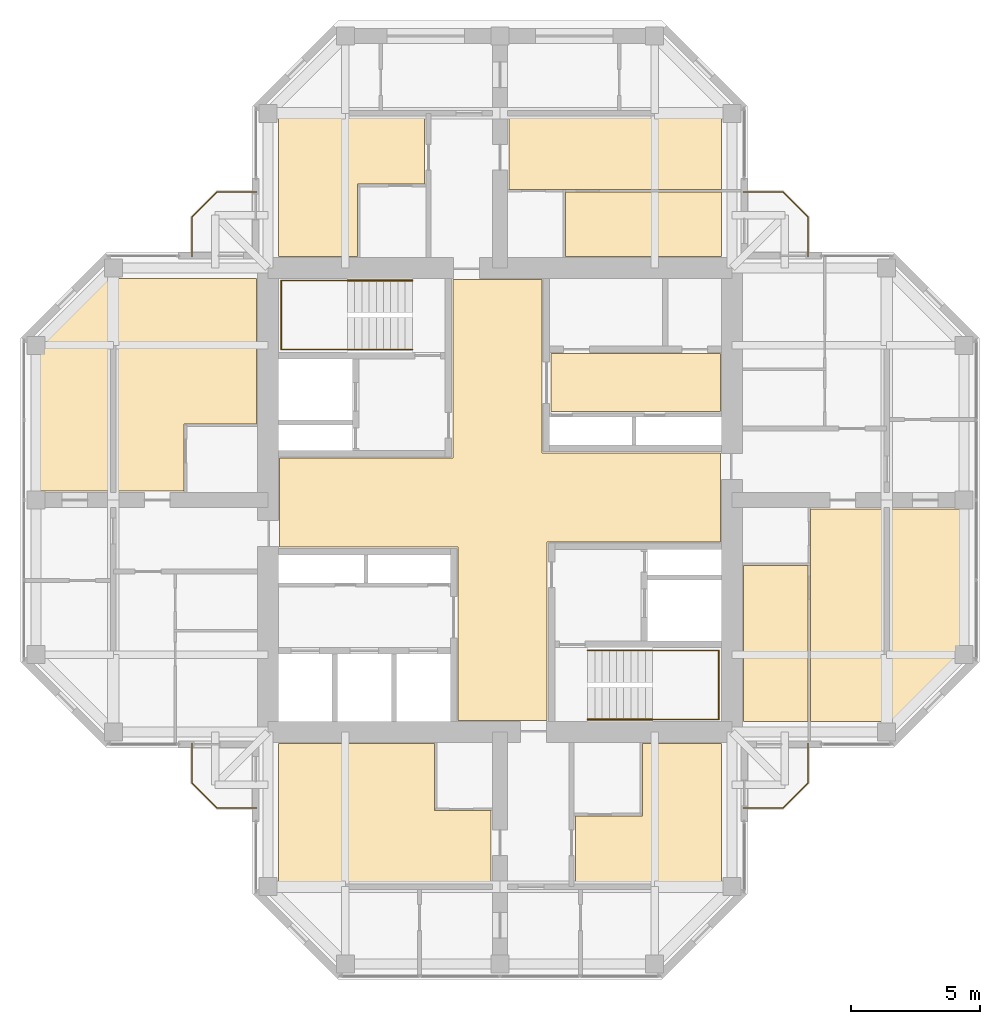
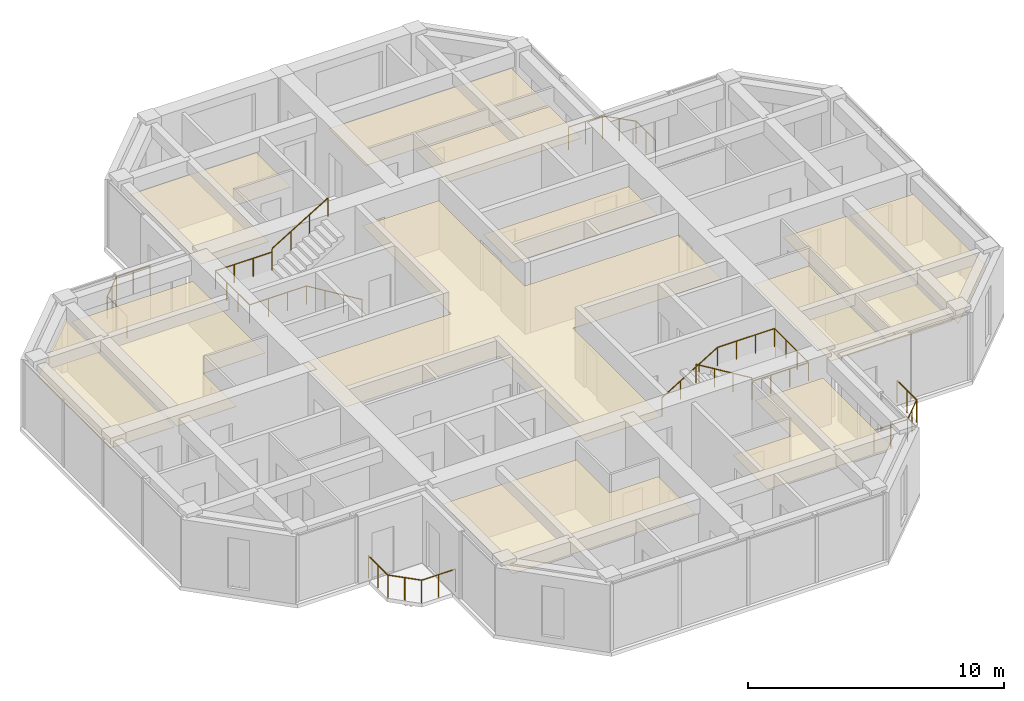
# One storey, part 13 of 13: 12 coverings, 8 railings.
"""IFC4 building model written with IfcOpenShell, lengths in metres."""

import ifcopenshell
import ifcopenshell.guid

model = None  # the IFC model being written
_history = None  # IfcOwnerHistory: only IFC2X3 demands one
_inside = {}  # id of a spatial element -> (the spatial element, [elements in it])
_under = {}  # id of a project, library or spatial element -> (it, [spatial elements below it])
_declared = {}  # id of a project -> (the project, [libraries it declares])
_typed = {}  # id of a type object -> (the type object, [elements of that type])
_made_of = {}  # id of a material, layer set ... -> (it, [elements and type objects made of it])


def new_model(schema):
    """Start an empty IFC model of exactly this schema.

    Asked for "IFC4X3", IfcOpenShell would pick the latest addendum, in which some entities
    have other attributes; the version numbers below select the first issue.
    IFC2X3 requires an IfcOwnerHistory on every rooted entity: one is made here for all.
    """
    global model, _history
    if schema == "IFC4X3":
        model = ifcopenshell.file(schema_version=(4, 3, 0, 0))
    else:
        model = ifcopenshell.file(schema=schema)
    _inside.clear()
    _under.clear()
    _declared.clear()
    _typed.clear()
    _made_of.clear()
    _history = None
    if model.schema == "IFC2X3":
        org = make("IfcOrganization", Name="unknown")
        user = make(
            "IfcPersonAndOrganization",
            ThePerson=make("IfcPerson", FamilyName="unknown"),
            TheOrganization=org,
        )
        app = make(
            "IfcApplication",
            ApplicationDeveloper=org,
            Version="unknown",
            ApplicationFullName="unknown",
            ApplicationIdentifier="unknown",
        )
        _history = make(
            "IfcOwnerHistory",
            OwningUser=user,
            OwningApplication=app,
            ChangeAction="ADDED",
            CreationDate=0,
        )
    return model


def make(cls, **values):
    """One entity of the class cls with the attributes given. An attribute that is None is left unset."""
    return model.create_entity(
        cls, **{name: value for name, value in values.items() if value is not None}
    )


def rooted(cls, **values):
    """An entity with a GlobalId (a new one), such as an element, a storey or a relation."""
    return make(cls, GlobalId=ifcopenshell.guid.new(), OwnerHistory=_history, **values)


def si_unit(unit_type, name, prefix=None):
    """IfcSIUnit, for example si_unit("LENGTHUNIT", "METRE", prefix="MILLI")."""
    return make("IfcSIUnit", UnitType=unit_type, Prefix=prefix, Name=name)


def assignment(units):
    """IfcUnitAssignment: the units of a project."""
    return None if units is None else make("IfcUnitAssignment", Units=units)


def point(xyz):
    """IfcCartesianPoint."""
    return None if xyz is None else make("IfcCartesianPoint", Coordinates=xyz)


def direction(xyz):
    """IfcDirection."""
    return None if xyz is None else make("IfcDirection", DirectionRatios=xyz)


def frame(location, z_axis=None, x_axis=None):
    """IfcAxis2Placement3D, a coordinate frame: its origin and axes. An axis left out is left unset."""
    return make(
        "IfcAxis2Placement3D",
        Location=point(location),
        Axis=direction(z_axis),
        RefDirection=direction(x_axis),
    )


def frame_2d(location, x_axis=None):
    """IfcAxis2Placement2D, a coordinate frame in the plane: its origin and x axis."""
    return make(
        "IfcAxis2Placement2D", Location=point(location), RefDirection=direction(x_axis)
    )


def origin():
    """The frame at (0, 0, 0) with its axes left unset."""
    return frame((0.0, 0.0, 0.0))


def origin_2d():
    """The frame at (0, 0) in the plane with its x axis left unset."""
    return frame_2d((0.0, 0.0))


def place(relative_to, where):
    """IfcLocalPlacement: puts the frame where relative to a parent placement (None: the world)."""
    return make(
        "IfcLocalPlacement", PlacementRelTo=relative_to, RelativePlacement=where
    )


def context(
    kind, dimensions, precision=None, world=None, true_north=None, identifier=None
):
    """IfcGeometricRepresentationContext, for example the 3D "Model" context."""
    return make(
        "IfcGeometricRepresentationContext",
        ContextIdentifier=identifier,
        ContextType=kind,
        CoordinateSpaceDimension=dimensions,
        Precision=precision,
        WorldCoordinateSystem=world,
        TrueNorth=true_north,
    )


def subcontext(parent, identifier, kind, view, scale=None):
    """IfcGeometricRepresentationSubContext, for example "Body" below "Model"."""
    return make(
        "IfcGeometricRepresentationSubContext",
        ContextIdentifier=identifier,
        ContextType=kind,
        ParentContext=parent,
        TargetScale=scale,
        TargetView=view,
    )


def project(units=None, contexts=None):
    """IfcProject with its units and contexts."""
    return rooted(
        "IfcProject",
        Name="project",
        RepresentationContexts=contexts,
        UnitsInContext=assignment(units),
    )


def spatial(cls, under=None, at=None, **own):
    """A site, building, storey or space (cls), placed at a placement, below another one or the project."""
    s = rooted(cls, ObjectPlacement=at, **own)
    if under is not None:
        _under.setdefault(under.id(), (under, []))[1].append(s)
    return s


def polyline(points):
    """IfcPolyline through the points."""
    return make("IfcPolyline", Points=[point(p) for p in points])


def profile(cls, at=None, kind="AREA", **sizes):
    """A parametric profile (cls). Its sizes go by their IFC names, for example OverallWidth=200.0."""
    return make(cls, ProfileType=kind, Position=at, **sizes)


def circle(**sizes):
    """IfcCircleProfileDef."""
    return profile("IfcCircleProfileDef", **sizes)


def outline(outer, holes=None, kind="AREA"):
    """IfcArbitraryClosedProfileDef: a profile drawn as a closed curve; with holes, ...WithVoids."""
    if holes is None:
        return make("IfcArbitraryClosedProfileDef", ProfileType=kind, OuterCurve=outer)
    return make(
        "IfcArbitraryProfileDefWithVoids",
        ProfileType=kind,
        OuterCurve=outer,
        InnerCurves=holes,
    )


def extrude(swept, where, along, depth):
    """IfcExtrudedAreaSolid: the profile swept, set in the frame where, extruded along a direction by depth."""
    return make(
        "IfcExtrudedAreaSolid",
        SweptArea=swept,
        Position=where,
        ExtrudedDirection=direction(along),
        Depth=depth,
    )


def shape(context_of_items, identifier, shape_type, items):
    """IfcShapeRepresentation: the items that make up one representation, for example the "Body"."""
    return make(
        "IfcShapeRepresentation",
        ContextOfItems=context_of_items,
        RepresentationIdentifier=identifier,
        RepresentationType=shape_type,
        Items=items,
    )


def material(Name=None, Category=None):
    """IfcMaterial."""
    return make("IfcMaterial", Name=Name, Category=Category)


def layer(
    of_material, thickness, ventilated=None, Name=None, Category=None, Priority=None
):
    """IfcMaterialLayer: one layer of a wall or slab, of a material (None: an air gap)."""
    return make(
        "IfcMaterialLayer",
        Material=of_material,
        LayerThickness=thickness,
        IsVentilated=ventilated,
        Name=Name,
        Category=Category,
        Priority=Priority,
    )


def layer_set(layers, Name=None):
    """IfcMaterialLayerSet."""
    return make("IfcMaterialLayerSet", MaterialLayers=layers, LayerSetName=Name)


def constituent(of_material, Name=None, Category=None, fraction=None):
    """IfcMaterialConstituent: one of the materials an element consists of."""
    return make(
        "IfcMaterialConstituent",
        Name=Name,
        Material=of_material,
        Fraction=fraction,
        Category=Category,
    )


def constituent_set(constituents=None, Name=None):
    """IfcMaterialConstituentSet."""
    return make(
        "IfcMaterialConstituentSet", Name=Name, MaterialConstituents=constituents
    )


def made_of(thing, what):
    """Note that an element or type object is made of a material, layer set ...; save() writes the relation."""
    if what is not None:
        _made_of.setdefault(what.id(), (what, []))[1].append(thing)
    return thing


def type_object(cls, material=None, **own):
    """A type object (cls), such as IfcWallType, which elements share."""
    return made_of(rooted(cls, **own), material)


def element(
    cls,
    number,
    at=None,
    inside=None,
    cuts=None,
    type_object=None,
    material=None,
    context=None,
    identifier="Body",
    shape_type=None,
    held_by="IfcProductDefinitionShape",
    body=None,
    shapes=None,
    **own,
):
    """One element of the class cls, such as IfcWall. Its Tag is "e" and its number.

    at: its placement. inside: the storey or other place that contains it. cuts: it is an
    opening in that element (IfcRelVoidsElement). A single representation is given by context,
    identifier, shape_type and body (its items); several are given by shapes. held_by: the class
    of the entity that holds the representations. save() writes the other relations.
    """
    e = rooted(cls, Tag="e%d" % number, ObjectPlacement=at, **own)
    if body is not None:
        shapes = [shape(context, identifier, shape_type, body)]
    if shapes is not None:
        e.Representation = make(held_by, Representations=shapes)
    if inside is not None:
        _inside.setdefault(inside.id(), (inside, []))[1].append(e)
    if cuts is not None:
        rooted(
            "IfcRelVoidsElement", RelatingBuildingElement=cuts, RelatedOpeningElement=e
        )
    if type_object is not None:
        _typed.setdefault(type_object.id(), (type_object, []))[1].append(e)
    return made_of(e, material)


def aggregate(whole, parts):
    """IfcRelAggregates: a whole, such as a stair, and the parts it consists of."""
    return rooted("IfcRelAggregates", RelatingObject=whole, RelatedObjects=parts)


def save(model, path):
    """Write the relations noted so far, then the file.

    IfcRelAggregates (storeys below a building ...), IfcRelContainedInSpatialStructure (elements
    in a storey), IfcRelDefinesByType, IfcRelAssociatesMaterial and IfcRelDeclares: one each for
    every whole, place, type object, material and project.
    """
    for whole, parts in _under.values():
        aggregate(whole, parts)
    for where, things in _inside.values():
        rooted(
            "IfcRelContainedInSpatialStructure",
            RelatedElements=things,
            RelatingStructure=where,
        )
    for kind, things in _typed.values():
        rooted("IfcRelDefinesByType", RelatedObjects=things, RelatingType=kind)
    for what, things in _made_of.values():
        rooted("IfcRelAssociatesMaterial", RelatedObjects=things, RelatingMaterial=what)
    for by, libraries in _declared.values():
        rooted("IfcRelDeclares", RelatingContext=by, RelatedDefinitions=libraries)
    model.write(path)


model = new_model("IFC4")

# Units and contexts
model_context = context("Model", 3, precision=1e-05, world=origin(), true_north=direction((0.0, 1.0)))
body_context = subcontext(model_context, "Body", "Model", "MODEL_VIEW")
ifc_project = project(units=[si_unit("LENGTHUNIT", "METRE"), si_unit("AREAUNIT", "SQUARE_METRE"), si_unit("VOLUMEUNIT", "CUBIC_METRE"), si_unit("PLANEANGLEUNIT", "RADIAN"), si_unit("MASSUNIT", "GRAM", prefix="KILO")], contexts=[model_context])

# Site, building, storey
site_placement = place(None, origin())
site = spatial("IfcSite", under=ifc_project, at=site_placement, CompositionType="ELEMENT")
building_placement = place(site_placement, origin())
building = spatial("IfcBuilding", under=site, at=building_placement, Name="Torre Cruceta", CompositionType="ELEMENT")
storey_placement = place(building_placement, frame((0.0, 0.0, 281.5)))
storey = spatial("IfcBuildingStorey", under=building, at=storey_placement, Name="L73", CompositionType="ELEMENT", Elevation=281.5)

# Railings
ifc_material_1 = material(Name="Stainless steel 1.4401", Category="steel")
ifc_constituent_1 = constituent(ifc_material_1, Name="Frame")
ifc_material_2 = material(Name="Laminated safety glass", Category="glass")
ifc_constituent_2 = constituent(ifc_material_2, Name="Infill")
ifc_constituent_set = constituent_set(constituents=[ifc_constituent_1, ifc_constituent_2], Name="Stainless steel and laminated glass balustrade")
railing_type_1 = type_object("IfcRailingType", Name="BALCONY BALUSTRADE 1100", PredefinedType="BALUSTRADE", material=ifc_constituent_set)
railing_1_placement = place(storey_placement, frame((-9.449951171875, 11.949951171875, 0.0)))
element("IfcRailing", 1, at=railing_1_placement, inside=storey, type_object=railing_type_1, Name="BL1 balcony balustrade L73 N", PredefinedType="BALUSTRADE", context=body_context, shape_type="SweptSolid", body=[
    extrude(circle(Radius=0.02392578125, at=origin_2d()), frame((0.0, 0.0, 1.076171875), z_axis=(-1.0, 0.0, 0.0), x_axis=(0.0, -1.0, 0.0)), (0.0, 0.0, 1.0), 1.529296875),
    extrude(circle(Radius=0.02392578125, at=origin_2d()), frame((-1.529296875, 0.0, 1.076171875), z_axis=(-0.707106781187, -0.707106781187, 0.0), x_axis=(0.707106781187, -0.707106781187, 0.0)), (0.0, 0.0, 1.0), 1.372802734375),
    extrude(circle(Radius=0.02392578125, at=origin_2d()), frame((-2.5, -0.970703125, 1.076171875), z_axis=(0.0, -1.0, 0.0), x_axis=(1.0, 0.0, 0.0)), (0.0, 0.0, 1.0), 1.529296875),
    extrude(circle(Radius=0.02099609375, at=origin_2d()), origin(), (0.0, 0.0, 1.0), 1.052001953125),
    extrude(circle(Radius=0.02099609375, at=origin_2d()), frame((-0.7646484375, 0.0, 0.0)), (0.0, 0.0, 1.0), 1.052001953125),
    extrude(circle(Radius=0.02099609375, at=origin_2d()), frame((-1.529296875, 0.0, 0.0)), (0.0, 0.0, 1.0), 1.052001953125),
    extrude(circle(Radius=0.02099609375, at=origin_2d()), frame((-2.0146484375, -0.4853515625, 0.0)), (0.0, 0.0, 1.0), 1.052001953125),
    extrude(circle(Radius=0.02099609375, at=origin_2d()), frame((-2.5, -0.970703125, 0.0)), (0.0, 0.0, 1.0), 1.052001953125),
    extrude(circle(Radius=0.02099609375, at=origin_2d()), frame((-2.5, -1.7353515625, 0.0)), (0.0, 0.0, 1.0), 1.052001953125),
    extrude(circle(Radius=0.02099609375, at=origin_2d()), frame((-2.5, -2.5, 0.0)), (0.0, 0.0, 1.0), 1.052001953125),
])
railing_2_placement = place(storey_placement, frame((9.449951171875, 11.949951171875, 0.0)))
element("IfcRailing", 2, at=railing_2_placement, inside=storey, type_object=railing_type_1, Name="BL1 balcony balustrade L73 E", PredefinedType="BALUSTRADE", context=body_context, shape_type="SweptSolid", body=[
    extrude(circle(Radius=0.02392578125, at=origin_2d()), frame((0.0, 0.0, 1.076171875), z_axis=(1.0, 0.0, 0.0), x_axis=(0.0, 1.0, 0.0)), (0.0, 0.0, 1.0), 1.529296875),
    extrude(circle(Radius=0.02392578125, at=origin_2d()), frame((1.529296875, 0.0, 1.076171875), z_axis=(0.707106781187, -0.707106781187, 0.0), x_axis=(0.707106781187, 0.707106781187, 0.0)), (0.0, 0.0, 1.0), 1.372802734375),
    extrude(circle(Radius=0.02392578125, at=origin_2d()), frame((2.5, -0.970703125, 1.076171875), z_axis=(0.0, -1.0, 0.0), x_axis=(1.0, 0.0, 0.0)), (0.0, 0.0, 1.0), 1.529296875),
    extrude(circle(Radius=0.02099609375, at=origin_2d()), origin(), (0.0, 0.0, 1.0), 1.052001953125),
    extrude(circle(Radius=0.02099609375, at=origin_2d()), frame((0.7646484375, 0.0, 0.0)), (0.0, 0.0, 1.0), 1.052001953125),
    extrude(circle(Radius=0.02099609375, at=origin_2d()), frame((1.529296875, 0.0, 0.0)), (0.0, 0.0, 1.0), 1.052001953125),
    extrude(circle(Radius=0.02099609375, at=origin_2d()), frame((2.0146484375, -0.4853515625, 0.0)), (0.0, 0.0, 1.0), 1.052001953125),
    extrude(circle(Radius=0.02099609375, at=origin_2d()), frame((2.5, -0.970703125, 0.0)), (0.0, 0.0, 1.0), 1.052001953125),
    extrude(circle(Radius=0.02099609375, at=origin_2d()), frame((2.5, -1.7353515625, 0.0)), (0.0, 0.0, 1.0), 1.052001953125),
    extrude(circle(Radius=0.02099609375, at=origin_2d()), frame((2.5, -2.5, 0.0)), (0.0, 0.0, 1.0), 1.052001953125),
])
railing_3_placement = place(storey_placement, frame((9.449951171875, -11.949951171875, 0.0)))
element("IfcRailing", 3, at=railing_3_placement, inside=storey, type_object=railing_type_1, Name="BL1 balcony balustrade L73 S", PredefinedType="BALUSTRADE", context=body_context, shape_type="SweptSolid", body=[
    extrude(circle(Radius=0.02392578125, at=origin_2d()), frame((0.0, 0.0, 1.076171875), z_axis=(1.0, 0.0, 0.0), x_axis=(0.0, 1.0, 0.0)), (0.0, 0.0, 1.0), 1.529296875),
    extrude(circle(Radius=0.02392578125, at=origin_2d()), frame((1.529296875, 0.0, 1.076171875), z_axis=(0.707106781187, 0.707106781187, 0.0), x_axis=(-0.707106781187, 0.707106781187, 0.0)), (0.0, 0.0, 1.0), 1.372802734375),
    extrude(circle(Radius=0.02392578125, at=origin_2d()), frame((2.5, 0.970703125, 1.076171875), z_axis=(0.0, 1.0, 0.0), x_axis=(-1.0, 0.0, 0.0)), (0.0, 0.0, 1.0), 1.529296875),
    extrude(circle(Radius=0.02099609375, at=origin_2d()), origin(), (0.0, 0.0, 1.0), 1.052001953125),
    extrude(circle(Radius=0.02099609375, at=origin_2d()), frame((0.7646484375, 0.0, 0.0)), (0.0, 0.0, 1.0), 1.052001953125),
    extrude(circle(Radius=0.02099609375, at=origin_2d()), frame((1.529296875, 0.0, 0.0)), (0.0, 0.0, 1.0), 1.052001953125),
    extrude(circle(Radius=0.02099609375, at=origin_2d()), frame((2.0146484375, 0.4853515625, 0.0)), (0.0, 0.0, 1.0), 1.052001953125),
    extrude(circle(Radius=0.02099609375, at=origin_2d()), frame((2.5, 0.970703125, 0.0)), (0.0, 0.0, 1.0), 1.052001953125),
    extrude(circle(Radius=0.02099609375, at=origin_2d()), frame((2.5, 1.7353515625, 0.0)), (0.0, 0.0, 1.0), 1.052001953125),
    extrude(circle(Radius=0.02099609375, at=origin_2d()), frame((2.5, 2.5, 0.0)), (0.0, 0.0, 1.0), 1.052001953125),
])
railing_4_placement = place(storey_placement, frame((-9.449951171875, -11.949951171875, 0.0)))
element("IfcRailing", 4, at=railing_4_placement, inside=storey, type_object=railing_type_1, Name="BL1 balcony balustrade L73 W", PredefinedType="BALUSTRADE", context=body_context, shape_type="SweptSolid", body=[
    extrude(circle(Radius=0.02392578125, at=origin_2d()), frame((0.0, 0.0, 1.076171875), z_axis=(-1.0, 0.0, 0.0), x_axis=(0.0, -1.0, 0.0)), (0.0, 0.0, 1.0), 1.529296875),
    extrude(circle(Radius=0.02392578125, at=origin_2d()), frame((-1.529296875, 0.0, 1.076171875), z_axis=(-0.707106781187, 0.707106781187, 0.0), x_axis=(-0.707106781187, -0.707106781187, 0.0)), (0.0, 0.0, 1.0), 1.372802734375),
    extrude(circle(Radius=0.02392578125, at=origin_2d()), frame((-2.5, 0.970703125, 1.076171875), z_axis=(0.0, 1.0, 0.0), x_axis=(-1.0, 0.0, 0.0)), (0.0, 0.0, 1.0), 1.529296875),
    extrude(circle(Radius=0.02099609375, at=origin_2d()), origin(), (0.0, 0.0, 1.0), 1.052001953125),
    extrude(circle(Radius=0.02099609375, at=origin_2d()), frame((-0.7646484375, 0.0, 0.0)), (0.0, 0.0, 1.0), 1.052001953125),
    extrude(circle(Radius=0.02099609375, at=origin_2d()), frame((-1.529296875, 0.0, 0.0)), (0.0, 0.0, 1.0), 1.052001953125),
    extrude(circle(Radius=0.02099609375, at=origin_2d()), frame((-2.0146484375, 0.4853515625, 0.0)), (0.0, 0.0, 1.0), 1.052001953125),
    extrude(circle(Radius=0.02099609375, at=origin_2d()), frame((-2.5, 0.970703125, 0.0)), (0.0, 0.0, 1.0), 1.052001953125),
    extrude(circle(Radius=0.02099609375, at=origin_2d()), frame((-2.5, 1.7353515625, 0.0)), (0.0, 0.0, 1.0), 1.052001953125),
    extrude(circle(Radius=0.02099609375, at=origin_2d()), frame((-2.5, 2.5, 0.0)), (0.0, 0.0, 1.0), 1.052001953125),
])
ifc_material_3 = material(Name="Stainless steel 1.4401", Category="steel")
railing_type_2 = type_object("IfcRailingType", Name="HANDRAIL 900", PredefinedType="HANDRAIL", material=ifc_material_3)
railing_5_placement = place(storey_placement, frame((-3.39990234375, 5.8349609375, 0.169921875)))
element("IfcRailing", 5, at=railing_5_placement, inside=storey, type_object=railing_type_2, Name="Handrail HR1 ST1 L73", PredefinedType="HANDRAIL", context=body_context, shape_type="SweptSolid", body=[
    extrude(circle(Radius=0.02392578125, at=origin_2d()), frame((0.0, 0.0, 0.8759765625), z_axis=(-0.85478489116, 0.0, 0.518982456201), x_axis=(0.0, -1.0, 0.0)), (0.0, 0.0, 1.0), 2.9482421875),
    extrude(circle(Radius=0.02392578125, at=origin_2d()), frame((-2.52001953125, 0.0, 2.40576171875), z_axis=(-1.0, 0.0, 0.0), x_axis=(0.0, -1.0, 0.0)), (0.0, 0.0, 1.0), 2.570068359375),
    extrude(circle(Radius=0.02392578125, at=origin_2d()), frame((-5.090087890625, 0.0, 2.40576171875), z_axis=(0.0, 1.0, 0.0), x_axis=(-1.0, 0.0, 0.0)), (0.0, 0.0, 1.0), 2.679931640625),
    extrude(circle(Radius=0.02392578125, at=origin_2d()), frame((-5.090087890625, 2.679931640625, 2.40576171875), z_axis=(1.0, 0.0, 0.0), x_axis=(0.0, 1.0, 0.0)), (0.0, 0.0, 1.0), 2.570068359375),
    extrude(circle(Radius=0.02099609375, at=origin_2d()), origin(), (0.0, 0.0, 1.0), 0.851806640625),
    extrude(circle(Radius=0.02099609375, at=origin_2d()), frame((-0.840087890625, 0.0, 0.510009765625)), (0.0, 0.0, 1.0), 0.851806640625),
    extrude(circle(Radius=0.02099609375, at=origin_2d()), frame((-1.679931640625, 0.0, 1.02001953125)), (0.0, 0.0, 1.0), 0.851806640625),
    extrude(circle(Radius=0.02099609375, at=origin_2d()), frame((-2.52001953125, 0.0, 1.530029296875)), (0.0, 0.0, 1.0), 0.851806640625),
    extrude(circle(Radius=0.02099609375, at=origin_2d()), frame((-3.376708984375, 0.0, 1.530029296875)), (0.0, 0.0, 1.0), 0.851806640625),
    extrude(circle(Radius=0.02099609375, at=origin_2d()), frame((-4.2333984375, 0.0, 1.530029296875)), (0.0, 0.0, 1.0), 0.851806640625),
    extrude(circle(Radius=0.02099609375, at=origin_2d()), frame((-5.090087890625, 0.0, 1.530029296875)), (0.0, 0.0, 1.0), 0.851806640625),
    extrude(circle(Radius=0.02099609375, at=origin_2d()), frame((-5.090087890625, 0.893310546875, 1.530029296875)), (0.0, 0.0, 1.0), 0.851806640625),
    extrude(circle(Radius=0.02099609375, at=origin_2d()), frame((-5.090087890625, 1.78662109375, 1.530029296875)), (0.0, 0.0, 1.0), 0.851806640625),
    extrude(circle(Radius=0.02099609375, at=origin_2d()), frame((-5.090087890625, 2.679931640625, 1.530029296875)), (0.0, 0.0, 1.0), 0.851806640625),
    extrude(circle(Radius=0.02099609375, at=origin_2d()), frame((-4.2333984375, 2.679931640625, 1.530029296875)), (0.0, 0.0, 1.0), 0.851806640625),
    extrude(circle(Radius=0.02099609375, at=origin_2d()), frame((-3.376708984375, 2.679931640625, 1.530029296875)), (0.0, 0.0, 1.0), 0.851806640625),
    extrude(circle(Radius=0.02099609375, at=origin_2d()), frame((-2.52001953125, 2.679931640625, 1.530029296875)), (0.0, 0.0, 1.0), 0.851806640625),
])
railing_6_placement = place(storey_placement, frame((-5.919921875, 8.514892578125, 1.8701171875)))
element("IfcRailing", 6, at=railing_6_placement, inside=storey, type_object=railing_type_2, Name="Handrail HR1 ST1 L73", PredefinedType="HANDRAIL", context=body_context, shape_type="SweptSolid", body=[
    extrude(circle(Radius=0.02392578125, at=origin_2d()), frame((0.0, 0.0, 0.8759765625), z_axis=(0.854821627497, 0.0, 0.518921945155), x_axis=(0.0, 1.0, 0.0)), (0.0, 0.0, 1.0), 2.947998046875),
    extrude(circle(Radius=0.02099609375, at=origin_2d()), origin(), (0.0, 0.0, 1.0), 0.851806640625),
    extrude(circle(Radius=0.02099609375, at=origin_2d()), frame((0.840087890625, 0.0, 0.510009765625)), (0.0, 0.0, 1.0), 0.851806640625),
    extrude(circle(Radius=0.02099609375, at=origin_2d()), frame((1.679931640625, 0.0, 1.019775390625)), (0.0, 0.0, 1.0), 0.851806640625),
    extrude(circle(Radius=0.02099609375, at=origin_2d()), frame((2.52001953125, 0.0, 1.52978515625)), (0.0, 0.0, 1.0), 0.851806640625),
])
railing_7_placement = place(storey_placement, frame((3.39990234375, -5.8349609375, 0.169921875)))
element("IfcRailing", 7, at=railing_7_placement, inside=storey, type_object=railing_type_2, Name="Handrail HR1 ST2 L73", PredefinedType="HANDRAIL", context=body_context, shape_type="SweptSolid", body=[
    extrude(circle(Radius=0.02392578125, at=origin_2d()), frame((0.0, 0.0, 0.8759765625), z_axis=(0.85478489116, 0.0, 0.518982456201), x_axis=(0.0, 1.0, 0.0)), (0.0, 0.0, 1.0), 2.9482421875),
    extrude(circle(Radius=0.02392578125, at=origin_2d()), frame((2.52001953125, 0.0, 2.40576171875), z_axis=(1.0, 0.0, 0.0), x_axis=(0.0, 1.0, 0.0)), (0.0, 0.0, 1.0), 2.570068359375),
    extrude(circle(Radius=0.02392578125, at=origin_2d()), frame((5.090087890625, 0.0, 2.40576171875), z_axis=(0.0, -1.0, 0.0), x_axis=(1.0, 0.0, 0.0)), (0.0, 0.0, 1.0), 2.679931640625),
    extrude(circle(Radius=0.02392578125, at=origin_2d()), frame((5.090087890625, -2.679931640625, 2.40576171875), z_axis=(-1.0, 0.0, 0.0), x_axis=(0.0, -1.0, 0.0)), (0.0, 0.0, 1.0), 2.570068359375),
    extrude(circle(Radius=0.02099609375, at=origin_2d()), origin(), (0.0, 0.0, 1.0), 0.851806640625),
    extrude(circle(Radius=0.02099609375, at=origin_2d()), frame((0.840087890625, 0.0, 0.510009765625)), (0.0, 0.0, 1.0), 0.851806640625),
    extrude(circle(Radius=0.02099609375, at=origin_2d()), frame((1.679931640625, 0.0, 1.02001953125)), (0.0, 0.0, 1.0), 0.851806640625),
    extrude(circle(Radius=0.02099609375, at=origin_2d()), frame((2.52001953125, 0.0, 1.530029296875)), (0.0, 0.0, 1.0), 0.851806640625),
    extrude(circle(Radius=0.02099609375, at=origin_2d()), frame((3.376708984375, 0.0, 1.530029296875)), (0.0, 0.0, 1.0), 0.851806640625),
    extrude(circle(Radius=0.02099609375, at=origin_2d()), frame((4.2333984375, 0.0, 1.530029296875)), (0.0, 0.0, 1.0), 0.851806640625),
    extrude(circle(Radius=0.02099609375, at=origin_2d()), frame((5.090087890625, 0.0, 1.530029296875)), (0.0, 0.0, 1.0), 0.851806640625),
    extrude(circle(Radius=0.02099609375, at=origin_2d()), frame((5.090087890625, -0.893310546875, 1.530029296875)), (0.0, 0.0, 1.0), 0.851806640625),
    extrude(circle(Radius=0.02099609375, at=origin_2d()), frame((5.090087890625, -1.78662109375, 1.530029296875)), (0.0, 0.0, 1.0), 0.851806640625),
    extrude(circle(Radius=0.02099609375, at=origin_2d()), frame((5.090087890625, -2.679931640625, 1.530029296875)), (0.0, 0.0, 1.0), 0.851806640625),
    extrude(circle(Radius=0.02099609375, at=origin_2d()), frame((4.2333984375, -2.679931640625, 1.530029296875)), (0.0, 0.0, 1.0), 0.851806640625),
    extrude(circle(Radius=0.02099609375, at=origin_2d()), frame((3.376708984375, -2.679931640625, 1.530029296875)), (0.0, 0.0, 1.0), 0.851806640625),
    extrude(circle(Radius=0.02099609375, at=origin_2d()), frame((2.52001953125, -2.679931640625, 1.530029296875)), (0.0, 0.0, 1.0), 0.851806640625),
])
railing_8_placement = place(storey_placement, frame((5.919921875, -8.514892578125, 1.8701171875)))
element("IfcRailing", 8, at=railing_8_placement, inside=storey, type_object=railing_type_2, Name="Handrail HR1 ST2 L73", PredefinedType="HANDRAIL", context=body_context, shape_type="SweptSolid", body=[
    extrude(circle(Radius=0.02392578125, at=origin_2d()), frame((0.0, 0.0, 0.8759765625), z_axis=(-0.854821627497, 0.0, 0.518921945155), x_axis=(0.0, -1.0, 0.0)), (0.0, 0.0, 1.0), 2.947998046875),
    extrude(circle(Radius=0.02099609375, at=origin_2d()), origin(), (0.0, 0.0, 1.0), 0.851806640625),
    extrude(circle(Radius=0.02099609375, at=origin_2d()), frame((-0.840087890625, 0.0, 0.510009765625)), (0.0, 0.0, 1.0), 0.851806640625),
    extrude(circle(Radius=0.02099609375, at=origin_2d()), frame((-1.679931640625, 0.0, 1.019775390625)), (0.0, 0.0, 1.0), 0.851806640625),
    extrude(circle(Radius=0.02099609375, at=origin_2d()), frame((-2.52001953125, 0.0, 1.52978515625)), (0.0, 0.0, 1.0), 0.851806640625),
])

# Coverings
ifc_material_4 = material(Name="Mineral fibre ceiling tile", Category="gypsum")
ifc_layer = layer(ifc_material_4, 0.02001953125)
ifc_layer_set = layer_set([ifc_layer], Name="Mineral fibre ceiling tile")
covering_type = type_object("IfcCoveringType", Name="SUSPENDED CEILING 20", PredefinedType="CEILING", material=ifc_layer_set)
covering_1_placement = place(storey_placement, frame((0.0, 0.0, 2.35009765625)))
element("IfcCovering", 9, at=covering_1_placement, inside=storey, type_object=covering_type, Name="Ceiling L73-003", PredefinedType="CEILING", context=body_context, shape_type="SweptSolid", body=[
    extrude(outline(polyline([(-1.625, -8.550048828125), (-1.625, -1.824951171875), (-8.550048828125, -1.824951171875), (-8.550048828125, 1.625), (-1.824951171875, 1.625), (-1.824951171875, 8.550048828125), (1.625, 8.550048828125), (1.625, 1.824951171875), (8.550048828125, 1.824951171875), (8.550048828125, -1.625), (1.824951171875, -1.625), (1.824951171875, -8.550048828125), (-1.625, -8.550048828125)])), origin(), (0.0, 0.0, 1.0), 0.02001953125),
])
covering_2_placement = place(storey_placement, frame((0.0, 0.0, 2.35009765625)))
element("IfcCovering", 10, at=covering_2_placement, inside=storey, type_object=covering_type, Name="Ceiling L73-004", PredefinedType="CEILING", context=body_context, shape_type="SweptSolid", body=[
    extrude(outline(polyline([(1.97509765625, 3.425048828125), (1.97509765625, 5.675048828125), (8.550048828125, 5.675048828125), (8.550048828125, 3.425048828125), (1.97509765625, 3.425048828125)])), origin(), (0.0, 0.0, 1.0), 0.02001953125),
])
covering_3_placement = place(storey_placement, frame((0.0, 0.0, 2.35009765625)))
element("IfcCovering", 11, at=covering_3_placement, inside=storey, type_object=covering_type, Name="Ceiling L73-022", PredefinedType="CEILING", context=body_context, shape_type="SweptSolid", body=[
    extrude(outline(polyline([(-8.60009765625, 9.449951171875), (-8.60009765625, 14.949951171875), (-2.925048828125, 14.949951171875), (-2.925048828125, 12.25), (-5.52490234375, 12.25), (-5.52490234375, 9.449951171875), (-8.60009765625, 9.449951171875)])), origin(), (0.0, 0.0, 1.0), 0.02001953125),
])
covering_4_placement = place(storey_placement, frame((0.0, 0.0, 2.35009765625)))
element("IfcCovering", 12, at=covering_4_placement, inside=storey, type_object=covering_type, Name="Ceiling L73-024", PredefinedType="CEILING", context=body_context, shape_type="SweptSolid", body=[
    extrude(outline(polyline([(8.60009765625, 14.949951171875), (8.60009765625, 12.050048828125), (0.35009765625, 12.050048828125), (0.35009765625, 14.949951171875), (8.60009765625, 14.949951171875)])), origin(), (0.0, 0.0, 1.0), 0.02001953125),
])
covering_5_placement = place(storey_placement, frame((0.0, 0.0, 2.35009765625)))
element("IfcCovering", 13, at=covering_5_placement, inside=storey, type_object=covering_type, Name="Ceiling L73-025", PredefinedType="CEILING", context=body_context, shape_type="SweptSolid", body=[
    extrude(outline(polyline([(8.60009765625, 9.449951171875), (2.550048828125, 9.449951171875), (2.550048828125, 11.949951171875), (8.60009765625, 11.949951171875), (8.60009765625, 9.449951171875)])), origin(), (0.0, 0.0, 1.0), 0.02001953125),
])
covering_6_placement = place(storey_placement, frame((0.0, 0.0, 2.35009765625)))
element("IfcCovering", 14, at=covering_6_placement, inside=storey, type_object=covering_type, Name="Ceiling L73-035", PredefinedType="CEILING", context=body_context, shape_type="SweptSolid", body=[
    extrude(outline(polyline([(14.949951171875, -8.60009765625), (12.050048828125, -8.60009765625), (12.050048828125, -0.35009765625), (14.949951171875, -0.35009765625), (14.949951171875, -8.60009765625)])), origin(), (0.0, 0.0, 1.0), 0.02001953125),
])
covering_7_placement = place(storey_placement, frame((0.0, 0.0, 2.35009765625)))
element("IfcCovering", 15, at=covering_7_placement, inside=storey, type_object=covering_type, Name="Ceiling L73-036", PredefinedType="CEILING", context=body_context, shape_type="SweptSolid", body=[
    extrude(outline(polyline([(9.449951171875, -8.60009765625), (9.449951171875, -2.550048828125), (11.949951171875, -2.550048828125), (11.949951171875, -8.60009765625), (9.449951171875, -8.60009765625)])), origin(), (0.0, 0.0, 1.0), 0.02001953125),
])
covering_8_placement = place(storey_placement, frame((0.0, 0.0, 2.35009765625)))
element("IfcCovering", 16, at=covering_8_placement, inside=storey, type_object=covering_type, Name="Ceiling L73-040", PredefinedType="CEILING", context=body_context, shape_type="SweptSolid", body=[
    extrude(outline(polyline([(15.050048828125, -8.87939453125), (15.050048828125, -0.35009765625), (17.949951171875, -0.35009765625), (17.949951171875, -5.979248046875), (15.050048828125, -8.87939453125)])), origin(), (0.0, 0.0, 1.0), 0.02001953125),
])
covering_9_placement = place(storey_placement, frame((0.0, 0.0, 2.35009765625)))
element("IfcCovering", 17, at=covering_9_placement, inside=storey, type_object=covering_type, Name="Ceiling L73-042", PredefinedType="CEILING", context=body_context, shape_type="SweptSolid", body=[
    extrude(outline(polyline([(8.60009765625, -9.449951171875), (8.60009765625, -14.949951171875), (2.925048828125, -14.949951171875), (2.925048828125, -12.25), (5.52490234375, -12.25), (5.52490234375, -9.449951171875), (8.60009765625, -9.449951171875)])), origin(), (0.0, 0.0, 1.0), 0.02001953125),
])
covering_10_placement = place(storey_placement, frame((0.0, 0.0, 2.35009765625)))
element("IfcCovering", 18, at=covering_10_placement, inside=storey, type_object=covering_type, Name="Ceiling L73-044", PredefinedType="CEILING", context=body_context, shape_type="SweptSolid", body=[
    extrude(outline(polyline([(-0.35009765625, -14.949951171875), (-8.60009765625, -14.949951171875), (-8.60009765625, -9.449951171875), (-2.550048828125, -9.449951171875), (-2.550048828125, -12.050048828125), (-0.35009765625, -12.050048828125), (-0.35009765625, -14.949951171875)])), origin(), (0.0, 0.0, 1.0), 0.02001953125),
])
covering_11_placement = place(storey_placement, frame((0.0, 0.0, 2.35009765625)))
element("IfcCovering", 19, at=covering_11_placement, inside=storey, type_object=covering_type, Name="Ceiling L73-054", PredefinedType="CEILING", context=body_context, shape_type="SweptSolid", body=[
    extrude(outline(polyline([(-14.949951171875, 0.35009765625), (-14.949951171875, 8.60009765625), (-9.449951171875, 8.60009765625), (-9.449951171875, 2.949951171875), (-12.25, 2.949951171875), (-12.25, 0.35009765625), (-14.949951171875, 0.35009765625)])), origin(), (0.0, 0.0, 1.0), 0.02001953125),
])
covering_12_placement = place(storey_placement, frame((0.0, 0.0, 2.35009765625)))
element("IfcCovering", 20, at=covering_12_placement, inside=storey, type_object=covering_type, Name="Ceiling L73-058", PredefinedType="CEILING", context=body_context, shape_type="SweptSolid", body=[
    extrude(outline(polyline([(-15.050048828125, 8.87939453125), (-15.050048828125, 0.35009765625), (-17.949951171875, 0.35009765625), (-17.949951171875, 5.979248046875), (-15.050048828125, 8.87939453125)])), origin(), (0.0, 0.0, 1.0), 0.02001953125),
])

save(model, "model.ifc")
